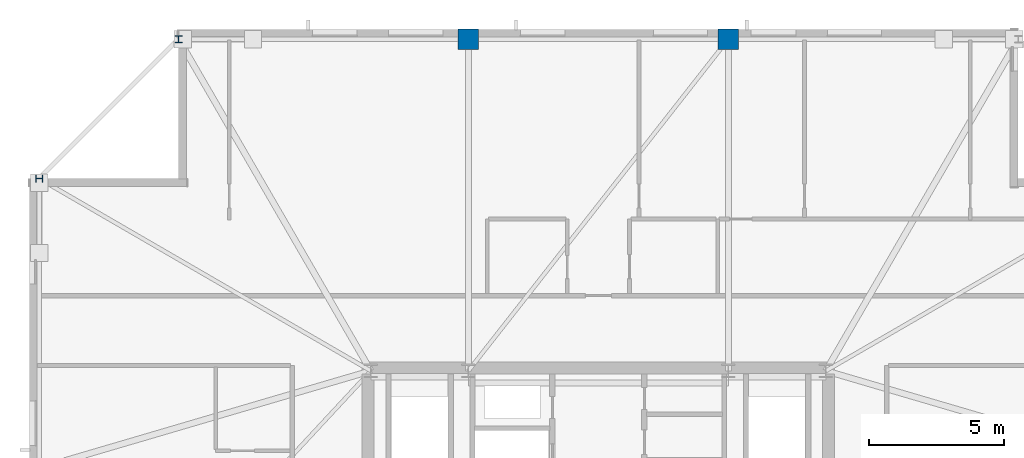
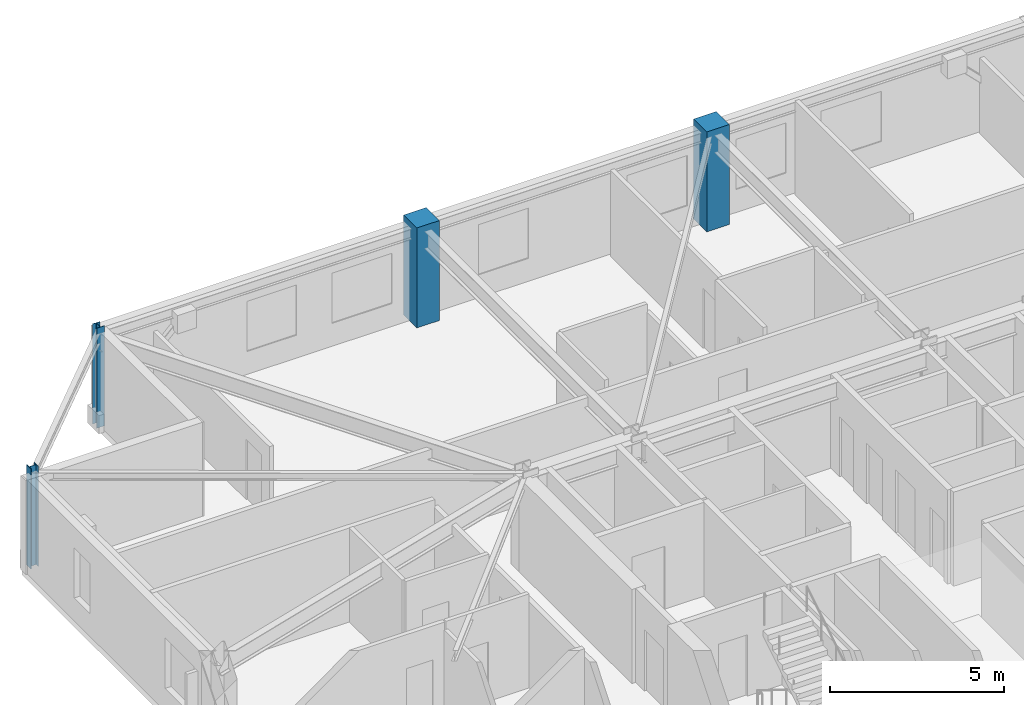
# One storey, part 4 of 15: 4 columns.
"""IFC4 building model written with IfcOpenShell, lengths in metres."""

import ifcopenshell
import ifcopenshell.guid

model = None  # the IFC model being written
_history = None  # IfcOwnerHistory: only IFC2X3 demands one
_inside = {}  # id of a spatial element -> (the spatial element, [elements in it])
_under = {}  # id of a project, library or spatial element -> (it, [spatial elements below it])
_declared = {}  # id of a project -> (the project, [libraries it declares])
_typed = {}  # id of a type object -> (the type object, [elements of that type])
_made_of = {}  # id of a material, layer set ... -> (it, [elements and type objects made of it])


def new_model(schema):
    """Start an empty IFC model of exactly this schema.

    Asked for "IFC4X3", IfcOpenShell would pick the latest addendum, in which some entities
    have other attributes; the version numbers below select the first issue.
    IFC2X3 requires an IfcOwnerHistory on every rooted entity: one is made here for all.
    """
    global model, _history
    if schema == "IFC4X3":
        model = ifcopenshell.file(schema_version=(4, 3, 0, 0))
    else:
        model = ifcopenshell.file(schema=schema)
    _inside.clear()
    _under.clear()
    _declared.clear()
    _typed.clear()
    _made_of.clear()
    _history = None
    if model.schema == "IFC2X3":
        org = make("IfcOrganization", Name="unknown")
        user = make(
            "IfcPersonAndOrganization",
            ThePerson=make("IfcPerson", FamilyName="unknown"),
            TheOrganization=org,
        )
        app = make(
            "IfcApplication",
            ApplicationDeveloper=org,
            Version="unknown",
            ApplicationFullName="unknown",
            ApplicationIdentifier="unknown",
        )
        _history = make(
            "IfcOwnerHistory",
            OwningUser=user,
            OwningApplication=app,
            ChangeAction="ADDED",
            CreationDate=0,
        )
    return model


def make(cls, **values):
    """One entity of the class cls with the attributes given. An attribute that is None is left unset."""
    return model.create_entity(
        cls, **{name: value for name, value in values.items() if value is not None}
    )


def rooted(cls, **values):
    """An entity with a GlobalId (a new one), such as an element, a storey or a relation."""
    return make(cls, GlobalId=ifcopenshell.guid.new(), OwnerHistory=_history, **values)


def si_unit(unit_type, name, prefix=None):
    """IfcSIUnit, for example si_unit("LENGTHUNIT", "METRE", prefix="MILLI")."""
    return make("IfcSIUnit", UnitType=unit_type, Prefix=prefix, Name=name)


def assignment(units):
    """IfcUnitAssignment: the units of a project."""
    return None if units is None else make("IfcUnitAssignment", Units=units)


def point(xyz):
    """IfcCartesianPoint."""
    return None if xyz is None else make("IfcCartesianPoint", Coordinates=xyz)


def direction(xyz):
    """IfcDirection."""
    return None if xyz is None else make("IfcDirection", DirectionRatios=xyz)


def frame(location, z_axis=None, x_axis=None):
    """IfcAxis2Placement3D, a coordinate frame: its origin and axes. An axis left out is left unset."""
    return make(
        "IfcAxis2Placement3D",
        Location=point(location),
        Axis=direction(z_axis),
        RefDirection=direction(x_axis),
    )


def frame_2d(location, x_axis=None):
    """IfcAxis2Placement2D, a coordinate frame in the plane: its origin and x axis."""
    return make(
        "IfcAxis2Placement2D", Location=point(location), RefDirection=direction(x_axis)
    )


def origin():
    """The frame at (0, 0, 0) with its axes left unset."""
    return frame((0.0, 0.0, 0.0))


def origin_2d():
    """The frame at (0, 0) in the plane with its x axis left unset."""
    return frame_2d((0.0, 0.0))


def place(relative_to, where):
    """IfcLocalPlacement: puts the frame where relative to a parent placement (None: the world)."""
    return make(
        "IfcLocalPlacement", PlacementRelTo=relative_to, RelativePlacement=where
    )


def context(
    kind, dimensions, precision=None, world=None, true_north=None, identifier=None
):
    """IfcGeometricRepresentationContext, for example the 3D "Model" context."""
    return make(
        "IfcGeometricRepresentationContext",
        ContextIdentifier=identifier,
        ContextType=kind,
        CoordinateSpaceDimension=dimensions,
        Precision=precision,
        WorldCoordinateSystem=world,
        TrueNorth=true_north,
    )


def subcontext(parent, identifier, kind, view, scale=None):
    """IfcGeometricRepresentationSubContext, for example "Body" below "Model"."""
    return make(
        "IfcGeometricRepresentationSubContext",
        ContextIdentifier=identifier,
        ContextType=kind,
        ParentContext=parent,
        TargetScale=scale,
        TargetView=view,
    )


def project(units=None, contexts=None):
    """IfcProject with its units and contexts."""
    return rooted(
        "IfcProject",
        Name="project",
        RepresentationContexts=contexts,
        UnitsInContext=assignment(units),
    )


def spatial(cls, under=None, at=None, **own):
    """A site, building, storey or space (cls), placed at a placement, below another one or the project."""
    s = rooted(cls, ObjectPlacement=at, **own)
    if under is not None:
        _under.setdefault(under.id(), (under, []))[1].append(s)
    return s


def profile(cls, at=None, kind="AREA", **sizes):
    """A parametric profile (cls). Its sizes go by their IFC names, for example OverallWidth=200.0."""
    return make(cls, ProfileType=kind, Position=at, **sizes)


def rectangle(**sizes):
    """IfcRectangleProfileDef."""
    return profile("IfcRectangleProfileDef", **sizes)


def i_section(**sizes):
    """IfcIShapeProfileDef."""
    return profile("IfcIShapeProfileDef", **sizes)


def extrude(swept, where, along, depth):
    """IfcExtrudedAreaSolid: the profile swept, set in the frame where, extruded along a direction by depth."""
    return make(
        "IfcExtrudedAreaSolid",
        SweptArea=swept,
        Position=where,
        ExtrudedDirection=direction(along),
        Depth=depth,
    )


def shape(context_of_items, identifier, shape_type, items):
    """IfcShapeRepresentation: the items that make up one representation, for example the "Body"."""
    return make(
        "IfcShapeRepresentation",
        ContextOfItems=context_of_items,
        RepresentationIdentifier=identifier,
        RepresentationType=shape_type,
        Items=items,
    )


def material(Name=None, Category=None):
    """IfcMaterial."""
    return make("IfcMaterial", Name=Name, Category=Category)


def material_profile(
    of_material, cross_section, Name=None, Category=None, Priority=None
):
    """IfcMaterialProfile: a cross section and its material."""
    return make(
        "IfcMaterialProfile",
        Name=Name,
        Material=of_material,
        Profile=cross_section,
        Priority=Priority,
        Category=Category,
    )


def profile_set(profiles, Name=None, composite=None):
    """IfcMaterialProfileSet."""
    return make(
        "IfcMaterialProfileSet",
        Name=Name,
        MaterialProfiles=profiles,
        CompositeProfile=composite,
    )


def made_of(thing, what):
    """Note that an element or type object is made of a material, layer set ...; save() writes the relation."""
    if what is not None:
        _made_of.setdefault(what.id(), (what, []))[1].append(thing)
    return thing


def type_object(cls, material=None, **own):
    """A type object (cls), such as IfcWallType, which elements share."""
    return made_of(rooted(cls, **own), material)


def element(
    cls,
    number,
    at=None,
    inside=None,
    cuts=None,
    type_object=None,
    material=None,
    context=None,
    identifier="Body",
    shape_type=None,
    held_by="IfcProductDefinitionShape",
    body=None,
    shapes=None,
    **own,
):
    """One element of the class cls, such as IfcWall. Its Tag is "e" and its number.

    at: its placement. inside: the storey or other place that contains it. cuts: it is an
    opening in that element (IfcRelVoidsElement). A single representation is given by context,
    identifier, shape_type and body (its items); several are given by shapes. held_by: the class
    of the entity that holds the representations. save() writes the other relations.
    """
    e = rooted(cls, Tag="e%d" % number, ObjectPlacement=at, **own)
    if body is not None:
        shapes = [shape(context, identifier, shape_type, body)]
    if shapes is not None:
        e.Representation = make(held_by, Representations=shapes)
    if inside is not None:
        _inside.setdefault(inside.id(), (inside, []))[1].append(e)
    if cuts is not None:
        rooted(
            "IfcRelVoidsElement", RelatingBuildingElement=cuts, RelatedOpeningElement=e
        )
    if type_object is not None:
        _typed.setdefault(type_object.id(), (type_object, []))[1].append(e)
    return made_of(e, material)


def aggregate(whole, parts):
    """IfcRelAggregates: a whole, such as a stair, and the parts it consists of."""
    return rooted("IfcRelAggregates", RelatingObject=whole, RelatedObjects=parts)


def save(model, path):
    """Write the relations noted so far, then the file.

    IfcRelAggregates (storeys below a building ...), IfcRelContainedInSpatialStructure (elements
    in a storey), IfcRelDefinesByType, IfcRelAssociatesMaterial and IfcRelDeclares: one each for
    every whole, place, type object, material and project.
    """
    for whole, parts in _under.values():
        aggregate(whole, parts)
    for where, things in _inside.values():
        rooted(
            "IfcRelContainedInSpatialStructure",
            RelatedElements=things,
            RelatingStructure=where,
        )
    for kind, things in _typed.values():
        rooted("IfcRelDefinesByType", RelatedObjects=things, RelatingType=kind)
    for what, things in _made_of.values():
        rooted("IfcRelAssociatesMaterial", RelatedObjects=things, RelatingMaterial=what)
    for by, libraries in _declared.values():
        rooted("IfcRelDeclares", RelatingContext=by, RelatedDefinitions=libraries)
    model.write(path)


model = new_model("IFC4")

# Units and contexts
model_context = context("Model", 3, precision=1e-05, world=origin(), true_north=direction((0.0, 1.0)))
body_context = subcontext(model_context, "Body", "Model", "MODEL_VIEW")
ifc_project = project(units=[si_unit("LENGTHUNIT", "METRE"), si_unit("AREAUNIT", "SQUARE_METRE"), si_unit("VOLUMEUNIT", "CUBIC_METRE"), si_unit("PLANEANGLEUNIT", "RADIAN"), si_unit("MASSUNIT", "GRAM", prefix="KILO")], contexts=[model_context])

# Site, building, storey
site_placement = place(None, origin())
site = spatial("IfcSite", under=ifc_project, at=site_placement, CompositionType="ELEMENT")
building_placement = place(site_placement, origin())
building = spatial("IfcBuilding", under=site, at=building_placement, Name="Cairnveth Concourse Tower", CompositionType="ELEMENT")
storey_placement = place(building_placement, frame((0.0, 0.0, 291.0)))
storey = spatial("IfcBuildingStorey", under=building, at=storey_placement, Name="L80", CompositionType="ELEMENT", Elevation=291.0)

# Columns
ifc_material_1 = material(Name="Concrete N50 (50 MPa)", Category="concrete")
ifc_material_profile_1 = material_profile(ifc_material_1, rectangle(XDim=0.75, YDim=0.75, at=origin_2d()), Name="RC-COL-750x750")
ifc_profile_set_1 = profile_set([ifc_material_profile_1], Name="Concrete N50 (50 MPa)")
column_type_1 = type_object("IfcColumnType", Name="PERIMETER PIER COLUMN 750X750", PredefinedType="COLUMN", material=ifc_profile_set_1)
for number, where, z_axis, x_axis, name in (
    (1, (56.800048828125, 59.64990234375, 0.0), (0.0, 0.0, 1.0), (1.0, 0.0, 0.0), "Column P-N2 L80"),
    (2, (47.199951171875, 59.64990234375, 0.0), (0.0, 0.0, 1.0), (1.0, 0.0, 0.0), "Column P-N3 L80"),
):
    element("IfcColumn", number, at=place(storey_placement, frame(where, z_axis=z_axis, x_axis=x_axis)), inside=storey, type_object=column_type_1, Name=name, PredefinedType="COLUMN", context=body_context, shape_type="SweptSolid", body=[
        extrude(rectangle(XDim=0.75, YDim=0.75, at=origin_2d()), origin(), (0.0, 0.0, 1.0), 3.5),
    ])
ifc_material_2 = material(Name="Steel Grade 350", Category="steel")
ifc_material_profile_2 = material_profile(ifc_material_2, i_section(OverallWidth=0.25390625, OverallDepth=0.25390625, WebThickness=0.008544921875, FlangeThickness=0.01416015625, FilletRadius=0.012939453125, at=origin_2d()), Name="250UC72.9")
ifc_profile_set_2 = profile_set([ifc_material_profile_2], Name="Steel Grade 350")
column_type_2 = type_object("IfcColumnType", Name="UNIVERSAL STEEL COLUMN 250UC72.9", PredefinedType="COLUMN", material=ifc_profile_set_2)
for number, where, z_axis, x_axis, name in (
    (3, (36.5, 59.64990234375, 0.0), (0.0, 0.0, 1.0), (1.0, 0.0, 0.0), "Column P-N4 L80"),
    (4, (31.35009765625, 54.5, 0.0), (0.0, 0.0, 1.0), (0.0, 1.0, 0.0), "Column P-W1 L80"),
):
    element("IfcColumn", number, at=place(storey_placement, frame(where, z_axis=z_axis, x_axis=x_axis)), inside=storey, type_object=column_type_2, Name=name, PredefinedType="COLUMN", context=body_context, shape_type="SweptSolid", body=[
        extrude(i_section(OverallWidth=0.25390625, OverallDepth=0.25390625, WebThickness=0.008544921875, FlangeThickness=0.01416015625, FilletRadius=0.012939453125, at=origin_2d()), origin(), (0.0, 0.0, 1.0), 3.5),
    ])

save(model, "model.ifc")
